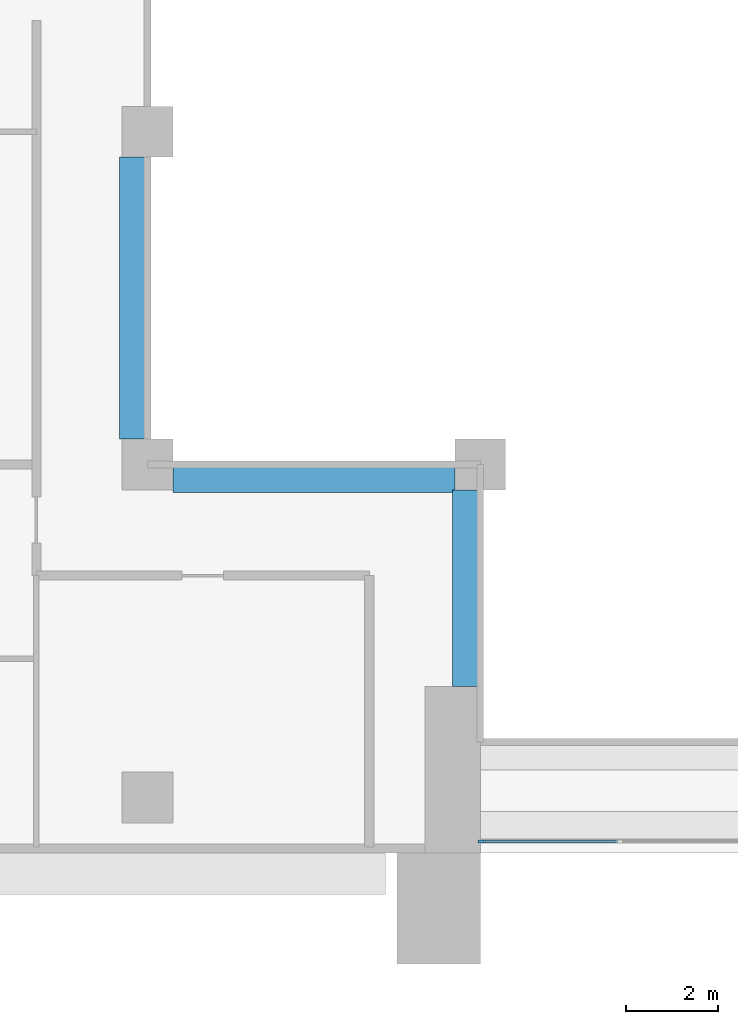
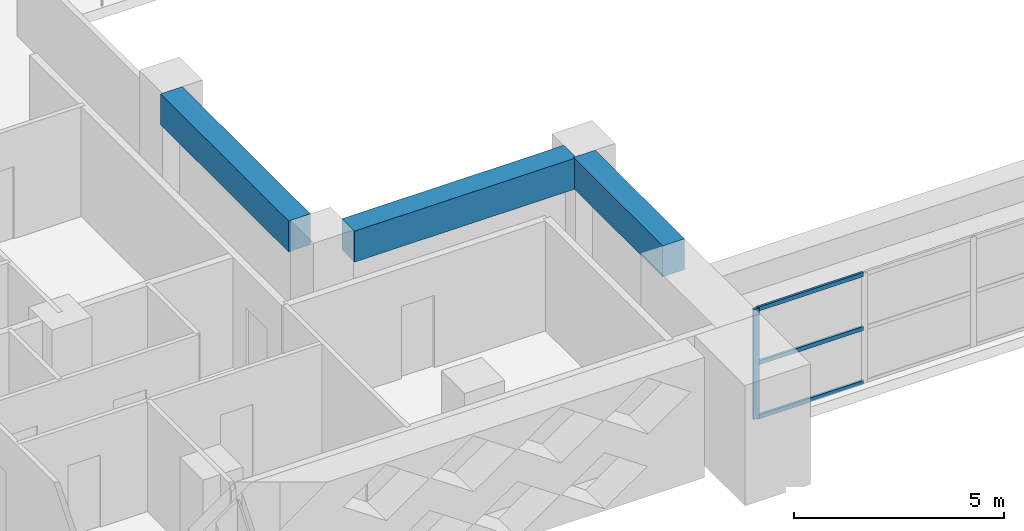
# One storey, part 2 of 19: 4 members, 3 beams, 1 element without a shape of its own.
"""IFC4 building model written with IfcOpenShell, lengths in metres."""

from ifc_helpers import new_model, si_unit, direction, frame, origin, origin_2d, place, context, subcontext, project, spatial, rectangle, extrude, source, transform, mapped, material, layer, layer_set, material_profile, profile_set, type_object, element, aggregate, save


model = new_model("IFC4")

# Units and contexts
model_context = context("Model", 3, precision=1e-05, world=origin(), true_north=direction((0.0, 1.0)))
body_context = subcontext(model_context, "Body", "Model", "MODEL_VIEW")
ifc_project = project(units=[si_unit("LENGTHUNIT", "METRE"), si_unit("AREAUNIT", "SQUARE_METRE"), si_unit("VOLUMEUNIT", "CUBIC_METRE"), si_unit("PLANEANGLEUNIT", "RADIAN"), si_unit("MASSUNIT", "GRAM", prefix="KILO")], contexts=[model_context])

# Site, building, storey
site_placement = place(None, origin())
site = spatial("IfcSite", under=ifc_project, at=site_placement, CompositionType="ELEMENT")
building_placement = place(site_placement, origin())
building = spatial("IfcBuilding", under=site, at=building_placement, Name="Saffron Iwan Residences", CompositionType="ELEMENT")
storey_placement = place(building_placement, frame((0.0, 0.0, 116.5)))
storey = spatial("IfcBuildingStorey", under=building, at=storey_placement, Name="L30", CompositionType="ELEMENT", Elevation=116.5)

# Beams
ifc_material_1 = material(Name="Concrete C50/60", Category="concrete")
ifc_material_profile_1 = material_profile(ifc_material_1, rectangle(XDim=0.60009765625, YDim=0.89990234375, at=origin_2d()), Name="RC 600x900")
ifc_profile_set_1 = profile_set([ifc_material_profile_1], Name="Concrete C50/60")
beam_type = type_object("IfcBeamType", Name="BEAM RC 600x900 C50/60 TOP 3200", PredefinedType="BEAM", material=ifc_profile_set_1)
shared_shape_1 = source(origin(), body_context, "Body", "SweptSolid", [
    extrude(rectangle(XDim=0.60009765625, YDim=0.89990234375, at=origin_2d()), origin(), (0.0, 0.0, 1.0), 4.25),
])
beam_placement = place(storey_placement, frame((42.89990234375, 43.199951171875, 2.75), z_axis=(0.0, 1.0, 0.0), x_axis=(-1.0, 0.0, 0.0)))
element("IfcBeam", 1, at=beam_placement, inside=storey, type_object=beam_type, Name="Atrium edge beam", PredefinedType="BEAM", context=body_context, shape_type="MappedRepresentation", body=[
    mapped(shared_shape_1, transform((0.0, 0.0, 0.0))),
])
shared_shape_2 = source(origin(), body_context, "Body", "SweptSolid", [
    extrude(rectangle(XDim=0.60009765625, YDim=0.89990234375, at=origin_2d()), origin(), (0.0, 0.0, 1.0), 6.099853515625),
])
for number, where, z_axis, x_axis, name in (
    (2, (42.64990234375, 47.699951171875, 2.75), (-1.0, 0.0, 0.0), (0.0, -1.0, 0.0), "Atrium edge beam"),
    (3, (35.699951171875, 48.550048828125, 2.75), (0.0, 1.0, 0.0), (-1.0, 0.0, 0.0), "Atrium edge beam"),
):
    element("IfcBeam", number, at=place(storey_placement, frame(where, z_axis=z_axis, x_axis=x_axis)), inside=storey, type_object=beam_type, Name=name, PredefinedType="BEAM", context=body_context, shape_type="MappedRepresentation", body=[
        mapped(shared_shape_2, transform((0.0, 0.0, 0.0))),
    ])

# Curtain wall, members
ifc_material_2 = material(Name="Clear glass, laminated double glazed", Category="glass")
ifc_layer = layer(ifc_material_2, 0.199951171875)
ifc_layer_set = layer_set([ifc_layer], Name="Clear glass, laminated double glazed")
curtain_wall_type = type_object("IfcCurtainWallType", Name="CW-B IWAN PORTAL", PredefinedType="NOTDEFINED", material=ifc_layer_set)
curtain_wall_placement = place(storey_placement, origin())
curtain_wall = element("IfcCurtainWall", 4, at=curtain_wall_placement, inside=storey, type_object=curtain_wall_type, Name="Iwan portal glazing L30.1", PredefinedType="NOTDEFINED")
ifc_material_3 = material(Name="Aluminium 6063-T6", Category="aluminium")
ifc_material_profile_2 = material_profile(ifc_material_3, rectangle(XDim=0.06005859375, YDim=0.1201171875, at=origin_2d()), Name="CW-B TRANSOM 60 x 120")
ifc_profile_set_2 = profile_set([ifc_material_profile_2], Name="Aluminium 6063-T6")
member_type_1 = type_object("IfcMemberType", Name="CW-B TRANSOM 60 x 120", PredefinedType="USERDEFINED", material=ifc_profile_set_2)
shared_shape_3 = source(origin(), body_context, "Body", "SweptSolid", [
    extrude(rectangle(XDim=0.06005859375, YDim=0.1201171875, at=origin_2d()), origin(), (0.0, 0.0, 1.0), 2.909912109375),
])
member_1_placement = place(storey_placement, frame((43.260009765625, 39.85009765625, 0.030029296875), z_axis=(1.0, 0.0, 0.0), x_axis=(0.0, 1.0, 0.0)))
member_1 = element("IfcMember", 5, at=member_1_placement, type_object=member_type_1, Name="CW-B transom 1.1", ObjectType="TRANSOM", PredefinedType="USERDEFINED", context=body_context, shape_type="MappedRepresentation", body=[
    mapped(shared_shape_3, transform((0.0, 0.0, 0.0))),
])
member_2_placement = place(storey_placement, frame((43.260009765625, 39.85009765625, 1.60009765625), z_axis=(1.0, 0.0, 0.0), x_axis=(0.0, 1.0, 0.0)))
member_2 = element("IfcMember", 6, at=member_2_placement, type_object=member_type_1, Name="CW-B transom 1.2", ObjectType="TRANSOM", PredefinedType="USERDEFINED", context=body_context, shape_type="MappedRepresentation", body=[
    mapped(shared_shape_3, transform((0.0, 0.0, 0.0))),
])
member_3_placement = place(storey_placement, frame((43.260009765625, 39.85009765625, 3.169921875), z_axis=(1.0, 0.0, 0.0), x_axis=(0.0, 1.0, 0.0)))
member_3 = element("IfcMember", 7, at=member_3_placement, type_object=member_type_1, Name="CW-B transom 1.3", ObjectType="TRANSOM", PredefinedType="USERDEFINED", context=body_context, shape_type="MappedRepresentation", body=[
    mapped(shared_shape_3, transform((0.0, 0.0, 0.0))),
])
ifc_material_profile_3 = material_profile(ifc_material_3, rectangle(XDim=0.06005859375, YDim=0.159912109375, at=origin_2d()), Name="CW-B MULLION 60 x 160")
ifc_profile_set_3 = profile_set([ifc_material_profile_3], Name="Aluminium 6063-T6")
member_type_2 = type_object("IfcMemberType", Name="CW-B MULLION 60 x 160", PredefinedType="MULLION", material=ifc_profile_set_3)
shared_shape_4 = source(origin(), body_context, "Body", "SweptSolid", [
    extrude(rectangle(XDim=0.06005859375, YDim=0.159912109375, at=origin_2d()), origin(), (0.0, 0.0, 1.0), 3.199951171875),
])
member_4_placement = place(storey_placement, frame((43.22998046875, 39.85009765625, 0.0), z_axis=(0.0, 0.0, 1.0), x_axis=(0.0, 1.0, 0.0)))
member_4 = element("IfcMember", 8, at=member_4_placement, type_object=member_type_2, Name="CW-B mullion 1", PredefinedType="MULLION", context=body_context, shape_type="MappedRepresentation", body=[
    mapped(shared_shape_4, transform((0.0, 0.0, 0.0))),
])
aggregate(curtain_wall, [member_4, member_1, member_2, member_3])

save(model, "model.ifc")
